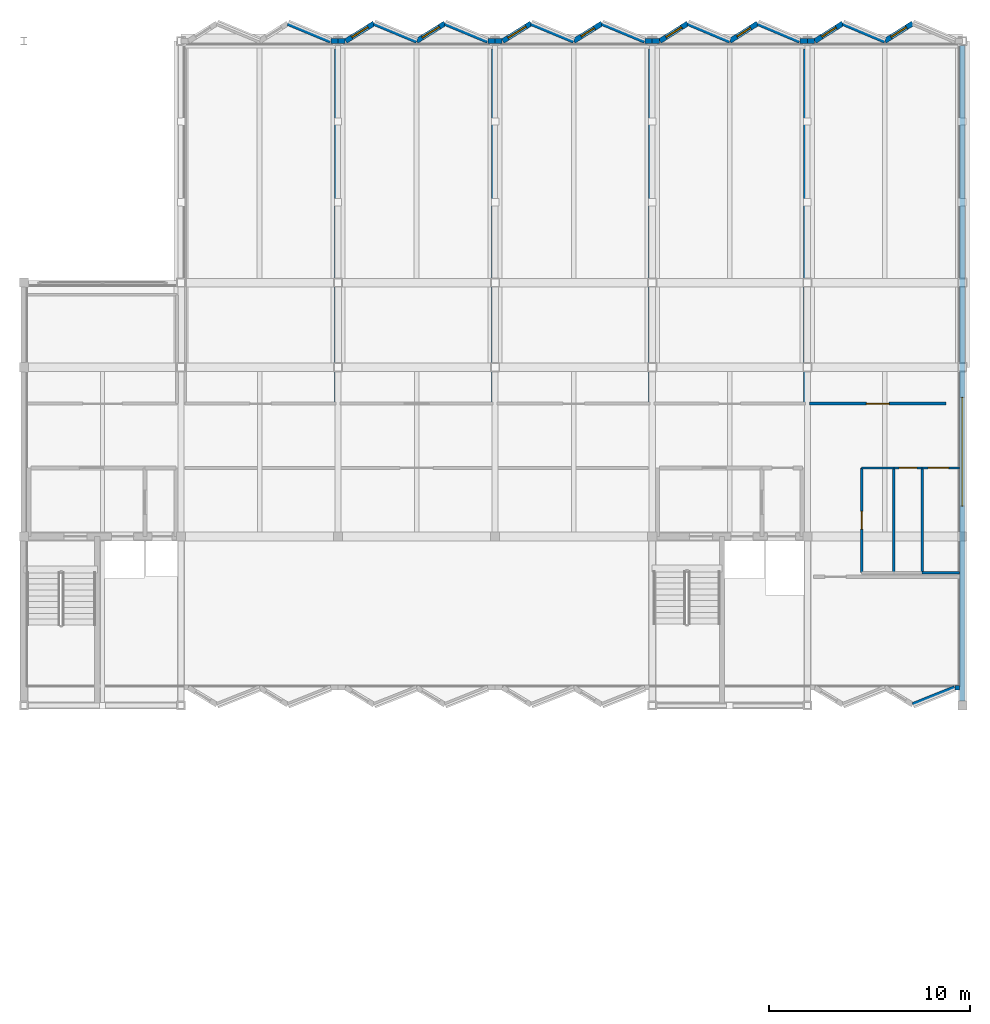
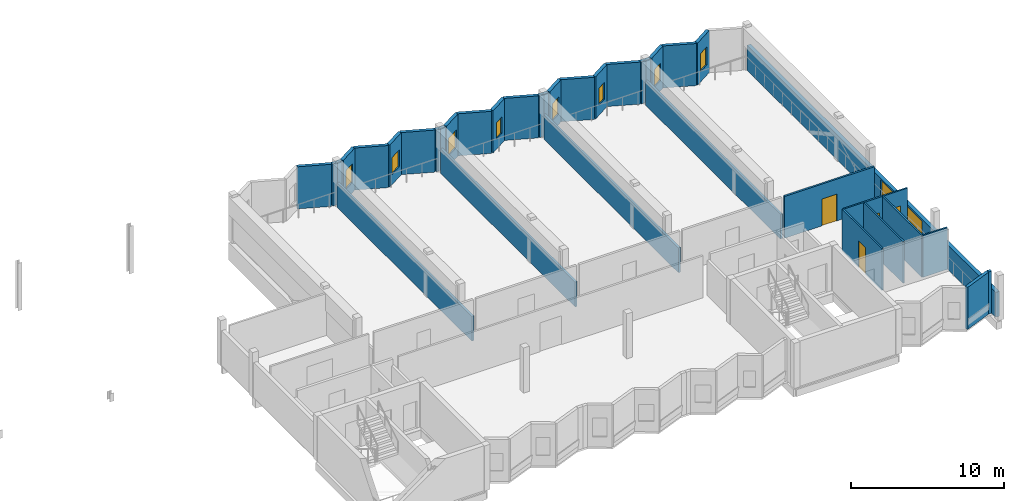
# One storey, part 27 of 34: 39 walls, 9 windows, 4 doors, 13 openings.
"""IFC4 building model written with IfcOpenShell, lengths in metres."""

from ifc_helpers import new_model, si_unit, direction, frame, frame_2d, origin, place, context, subcontext, project, spatial, rectangle, extrude, material, layer, layer_set, type_object, element, fill, save


model = new_model("IFC4")

# Units and contexts
model_context = context("Model", 3, precision=1e-05, world=origin(), true_north=direction((0.0, 1.0)))
body_context = subcontext(model_context, "Body", "Model", "MODEL_VIEW")
ifc_project = project(units=[si_unit("LENGTHUNIT", "METRE"), si_unit("AREAUNIT", "SQUARE_METRE"), si_unit("VOLUMEUNIT", "CUBIC_METRE"), si_unit("PLANEANGLEUNIT", "RADIAN"), si_unit("MASSUNIT", "GRAM", prefix="KILO")], contexts=[model_context])

# Site, building, storey
site_placement = place(None, origin())
site = spatial("IfcSite", under=ifc_project, at=site_placement, CompositionType="ELEMENT")
building_placement = place(site_placement, origin())
building = spatial("IfcBuilding", under=site, at=building_placement, Name="Vharandega Faculty of Natural Sciences", CompositionType="ELEMENT")
storey_placement = place(building_placement, frame((0.0, 0.0, 21.60009765625)))
storey = spatial("IfcBuildingStorey", under=building, at=storey_placement, Name="L05", CompositionType="ELEMENT", Elevation=21.60009765625)

# Walls
ifc_material_1 = material(Name="Gypsum fire-board on steel stud", Category="steel")
ifc_layer_1 = layer(ifc_material_1, 0.159912109375, Name="Gypsum fire-board on steel stud")
ifc_layer_set_1 = layer_set([ifc_layer_1], Name="Gypsum fire-board on steel stud")
wall_type_1 = type_object("IfcWallType", Name="Laboratory Fire Corridor Wall 160", PredefinedType="PARTITIONING", material=ifc_layer_set_1)
for number, where, z_axis, x_axis, name in (
    (1, (130.300048828125, 79.0, 0.0), (0.0, 0.0, 1.0), (0.0, 1.0, 0.0), "Interior Wall PW-L05-R11E"),
    (2, (138.10009765625, 79.0, 0.0), (0.0, 0.0, 1.0), (0.0, 1.0, 0.0), "Interior Wall PW-L05-R12E"),
    (3, (145.89990234375, 79.0, 0.0), (0.0, 0.0, 1.0), (0.0, 1.0, 0.0), "Interior Wall PW-L05-R13E"),
    (4, (153.60009765625, 79.0, 0.0), (0.0, 0.0, 1.0), (0.0, 1.0, 0.0), "Interior Wall PW-L05-R14E"),
):
    element("IfcWall", number, at=place(storey_placement, frame(where, z_axis=z_axis, x_axis=x_axis)), inside=storey, type_object=wall_type_1, Name=name, PredefinedType="PARTITIONING", context=body_context, shape_type="SweptSolid", body=[
        extrude(rectangle(XDim=17.60009765625, YDim=0.159912109375, at=frame_2d((8.800048828125, 0.0))), origin(), (0.0, 0.0, 1.0), 1.97998046875),
    ])

# Wall, opening, door
ifc_material_2 = material(Name="Gypsum acoustic partition", Category="gypsum")
ifc_layer_2 = layer(ifc_material_2, 0.139892578125, Name="Gypsum acoustic partition")
ifc_layer_set_2 = layer_set([ifc_layer_2], Name="Gypsum acoustic partition")
wall_type_2 = type_object("IfcWallType", Name="Room Partition Wall 140", PredefinedType="PARTITIONING", material=ifc_layer_set_2)
wall_1_placement = place(storey_placement, frame((153.800048828125, 79.0, 0.0), z_axis=(0.0, 0.0, 1.0), x_axis=(1.0, 0.0, 0.0)))
wall_1 = element("IfcWall", 5, at=wall_1_placement, inside=storey, type_object=wall_type_2, Name="Interior Wall PW-L05-R15S", PredefinedType="PARTITIONING", context=body_context, shape_type="SweptSolid", body=[
    extrude(rectangle(XDim=6.800048828125, YDim=0.139892578125, at=frame_2d((3.39990234375, 0.0))), origin(), (0.0, 0.0, 1.0), 3.33984375),
])
opening_1_placement = place(wall_1_placement, frame((2.840087890625, 0.0, 0.0)))
opening_1 = element("IfcOpeningElement", 6, at=opening_1_placement, cuts=wall_1, Name="Opening D0321", PredefinedType="OPENING", context=body_context, shape_type="SweptSolid", body=[
    extrude(rectangle(XDim=1.1201171875, YDim=2.14990234375, at=frame_2d((0.56005859375, 1.074951171875))), frame((0.0, 0.080078125, 0.0), z_axis=(0.0, -1.0, 0.0), x_axis=(1.0, 0.0, 0.0)), (0.0, 0.0, 1.0), 0.159912109375),
])
ifc_material_3 = material(Name="Solid-core hardwood timber fire door", Category="wood")
door_type_1 = type_object("IfcDoorType", Name="ID12-STUDIO-1120x2150", OperationType="NOTDEFINED", PredefinedType="DOOR", material=ifc_material_3)
door_1_placement = place(opening_1_placement, origin())
door_1 = element("IfcDoor", 7, at=door_1_placement, inside=storey, type_object=door_type_1, Name="Chemical Write-Up Studio 5A Door D0321", OperationType="SINGLE_SWING_LEFT", OverallHeight=2.14990234375, OverallWidth=1.1201171875, PredefinedType="DOOR", context=body_context, shape_type="SweptSolid", body=[
    extrude(rectangle(XDim=1.1201171875, YDim=2.14990234375, at=frame_2d((0.56005859375, 1.074951171875))), frame((0.0, 0.02490234375, 0.0), z_axis=(0.0, -1.0, 0.0), x_axis=(1.0, 0.0, 0.0)), (0.0, 0.0, 1.0), 0.050048828125),
])
fill(opening_1, door_1)

# Wall
ifc_material_4 = material(Name="Moisture-resistant gypsum partition", Category="gypsum")
ifc_layer_3 = layer(ifc_material_4, 0.1201171875, Name="Moisture-resistant gypsum partition")
ifc_layer_set_3 = layer_set([ifc_layer_3], Name="Moisture-resistant gypsum partition")
wall_type_3 = type_object("IfcWallType", Name="Sanitary Wet Wall 120", PredefinedType="PARTITIONING", material=ifc_layer_set_3)
wall_2_placement = place(storey_placement, frame((156.39990234375, 75.800048828125, 0.0), z_axis=(0.0, 0.0, 1.0), x_axis=(1.0, 0.0, 0.0)))
element("IfcWall", 8, at=wall_2_placement, inside=storey, type_object=wall_type_3, Name="Interior Wall PW-L05-R07N", PredefinedType="PARTITIONING", context=body_context, shape_type="SweptSolid", body=[
    extrude(rectangle(XDim=1.60009765625, YDim=0.1201171875, at=frame_2d((0.800048828125, 0.0))), origin(), (0.0, 0.0, 1.0), 3.33984375),
])

# Wall, opening, door
wall_3_placement = place(storey_placement, frame((156.39990234375, 70.60009765625, 0.0), z_axis=(0.0, 0.0, 1.0), x_axis=(0.0, 1.0, 0.0)))
wall_3 = element("IfcWall", 9, at=wall_3_placement, inside=storey, type_object=wall_type_3, Name="Interior Wall PW-L05-R07W", PredefinedType="PARTITIONING", context=body_context, shape_type="SweptSolid", body=[
    extrude(rectangle(XDim=5.199951171875, YDim=0.1201171875, at=frame_2d((2.60009765625, 0.0))), origin(), (0.0, 0.0, 1.0), 3.33984375),
])
opening_2_placement = place(wall_3_placement, frame((2.159912109375, 0.0, 0.0)))
opening_2 = element("IfcOpeningElement", 10, at=opening_2_placement, cuts=wall_3, Name="Opening D0313", PredefinedType="OPENING", context=body_context, shape_type="SweptSolid", body=[
    extrude(rectangle(XDim=0.8798828125, YDim=2.10009765625, at=frame_2d((0.43994140625, 1.050048828125))), frame((0.0, 0.070068359375, 0.0), z_axis=(0.0, -1.0, 0.0), x_axis=(1.0, 0.0, 0.0)), (0.0, 0.0, 1.0), 0.14013671875),
])
ifc_material_5 = material(Name="Solid-core hardwood timber fire door", Category="wood")
door_type_2 = type_object("IfcDoorType", Name="ID06-WC-0880x2100", OperationType="NOTDEFINED", PredefinedType="DOOR", material=ifc_material_5)
door_2_placement = place(opening_2_placement, origin())
door_2 = element("IfcDoor", 11, at=door_2_placement, inside=storey, type_object=door_type_2, Name="L05 Male Washroom Door D0313", OperationType="SINGLE_SWING_LEFT", OverallHeight=2.10009765625, OverallWidth=0.8798828125, PredefinedType="DOOR", context=body_context, shape_type="SweptSolid", body=[
    extrude(rectangle(XDim=0.8798828125, YDim=2.10009765625, at=frame_2d((0.43994140625, 1.050048828125))), frame((0.0, 0.02490234375, 0.0), z_axis=(0.0, -1.0, 0.0), x_axis=(1.0, 0.0, 0.0)), (0.0, 0.0, 1.0), 0.050048828125),
])
fill(opening_2, door_2)

# Wall
wall_4_placement = place(storey_placement, frame((158.0, 70.60009765625, 0.0), z_axis=(0.0, 0.0, 1.0), x_axis=(0.0, 1.0, 0.0)))
element("IfcWall", 12, at=wall_4_placement, inside=storey, type_object=wall_type_3, Name="Interior Wall PW-L05-R07E", PredefinedType="PARTITIONING", context=body_context, shape_type="SweptSolid", body=[
    extrude(rectangle(XDim=5.199951171875, YDim=0.1201171875, at=frame_2d((2.60009765625, 0.0))), origin(), (0.0, 0.0, 1.0), 3.33984375),
])

# Wall, opening, door
wall_5_placement = place(storey_placement, frame((158.0, 75.800048828125, 0.0), z_axis=(0.0, 0.0, 1.0), x_axis=(1.0, 0.0, 0.0)))
wall_5 = element("IfcWall", 13, at=wall_5_placement, inside=storey, type_object=wall_type_3, Name="Interior Wall PW-L05-R08N", PredefinedType="PARTITIONING", context=body_context, shape_type="SweptSolid", body=[
    extrude(rectangle(XDim=1.39990234375, YDim=0.1201171875, at=frame_2d((0.699951171875, 0.0))), origin(), (0.0, 0.0, 1.0), 3.33984375),
])
opening_3_placement = place(wall_5_placement, frame((0.260009765625, 0.0, 0.0)))
opening_3 = element("IfcOpeningElement", 14, at=opening_3_placement, cuts=wall_5, Name="Opening D0314", PredefinedType="OPENING", context=body_context, shape_type="SweptSolid", body=[
    extrude(rectangle(XDim=0.8798828125, YDim=2.10009765625, at=frame_2d((0.43994140625, 1.050048828125))), frame((0.0, 0.070068359375, 0.0), z_axis=(0.0, -1.0, 0.0), x_axis=(1.0, 0.0, 0.0)), (0.0, 0.0, 1.0), 0.14013671875),
])
door_3_placement = place(opening_3_placement, origin())
door_3 = element("IfcDoor", 15, at=door_3_placement, inside=storey, type_object=door_type_2, Name="L05 Female Washroom Door D0314", OperationType="SINGLE_SWING_RIGHT", OverallHeight=2.10009765625, OverallWidth=0.8798828125, PredefinedType="DOOR", context=body_context, shape_type="SweptSolid", body=[
    extrude(rectangle(XDim=0.8798828125, YDim=2.10009765625, at=frame_2d((0.43994140625, 1.050048828125))), frame((0.0, 0.02490234375, 0.0), z_axis=(0.0, -1.0, 0.0), x_axis=(1.0, 0.0, 0.0)), (0.0, 0.0, 1.0), 0.050048828125),
])
fill(opening_3, door_3)

# Walls
wall_6_placement = place(storey_placement, frame((159.39990234375, 70.60009765625, 0.0), z_axis=(0.0, 0.0, 1.0), x_axis=(0.0, 1.0, 0.0)))
element("IfcWall", 16, at=wall_6_placement, inside=storey, type_object=wall_type_3, Name="Interior Wall PW-L05-R08E", PredefinedType="PARTITIONING", context=body_context, shape_type="SweptSolid", body=[
    extrude(rectangle(XDim=5.199951171875, YDim=0.1201171875, at=frame_2d((2.60009765625, 0.0))), origin(), (0.0, 0.0, 1.0), 3.33984375),
])
wall_7_placement = place(storey_placement, frame((159.39990234375, 70.60009765625, 0.0), z_axis=(0.0, 0.0, 1.0), x_axis=(1.0, 0.0, 0.0)))
element("IfcWall", 17, at=wall_7_placement, inside=storey, type_object=wall_type_3, Name="Interior Wall PW-L05-R09S", PredefinedType="PARTITIONING", context=body_context, shape_type="SweptSolid", body=[
    extrude(rectangle(XDim=1.860107421875, YDim=0.1201171875, at=frame_2d((0.93017578125, 0.0))), origin(), (0.0, 0.0, 1.0), 3.33984375),
])

# Wall, opening, door
wall_8_placement = place(storey_placement, frame((159.39990234375, 75.800048828125, 0.0), z_axis=(0.0, 0.0, 1.0), x_axis=(1.0, 0.0, 0.0)))
wall_8 = element("IfcWall", 18, at=wall_8_placement, inside=storey, type_object=wall_type_3, Name="Interior Wall PW-L05-R09N", PredefinedType="PARTITIONING", context=body_context, shape_type="SweptSolid", body=[
    extrude(rectangle(XDim=1.860107421875, YDim=0.1201171875, at=frame_2d((0.93017578125, 0.0))), origin(), (0.0, 0.0, 1.0), 3.33984375),
])
opening_4_placement = place(wall_8_placement, frame((0.300048828125, 0.0, 0.0)))
opening_4 = element("IfcOpeningElement", 19, at=opening_4_placement, cuts=wall_8, Name="Opening D0315", PredefinedType="OPENING", context=body_context, shape_type="SweptSolid", body=[
    extrude(rectangle(XDim=1.02001953125, YDim=2.10009765625, at=frame_2d((0.510009765625, 1.050048828125))), frame((0.0, 0.070068359375, 0.0), z_axis=(0.0, -1.0, 0.0), x_axis=(1.0, 0.0, 0.0)), (0.0, 0.0, 1.0), 0.14013671875),
])
ifc_material_6 = material(Name="Solid-core hardwood timber fire door", Category="wood")
door_type_3 = type_object("IfcDoorType", Name="ID07-ACCWC-1020x2100", OperationType="NOTDEFINED", PredefinedType="DOOR", material=ifc_material_6)
door_4_placement = place(opening_4_placement, origin())
door_4 = element("IfcDoor", 20, at=door_4_placement, inside=storey, type_object=door_type_3, Name="L05 Accessible WC Door D0315", OperationType="SINGLE_SWING_LEFT", OverallHeight=2.10009765625, OverallWidth=1.02001953125, PredefinedType="DOOR", context=body_context, shape_type="SweptSolid", body=[
    extrude(rectangle(XDim=1.02001953125, YDim=2.10009765625, at=frame_2d((0.510009765625, 1.050048828125))), frame((0.0, 0.02490234375, 0.0), z_axis=(0.0, -1.0, 0.0), x_axis=(1.0, 0.0, 0.0)), (0.0, 0.0, 1.0), 0.050048828125),
])
fill(opening_4, door_4)

# Wall, opening, window
ifc_material_7 = material(Name="Precast concrete C40/50", Category="concrete")
ifc_layer_4 = layer(ifc_material_7, 0.25, Name="Precast concrete C40/50")
ifc_layer_set_4 = layer_set([ifc_layer_4], Name="Precast concrete C40/50")
wall_type_4 = type_object("IfcWallType", Name="Sawtooth Glazed-Face Precast Wall 250", PredefinedType="SOLIDWALL", material=ifc_layer_set_4)
wall_9_placement = place(storey_placement, frame((130.780029296875, 97.0, 0.0), z_axis=(0.0, 0.0, 1.0), x_axis=(0.848023086369, 0.529959286158, 0.0)))
wall_9 = element("IfcWall", 21, at=wall_9_placement, inside=storey, type_object=wall_type_4, Name="Exterior Wall EW-SAW-L05-N03G", PredefinedType="SOLIDWALL", context=body_context, shape_type="SweptSolid", body=[
    extrude(rectangle(XDim=1.660400390625, YDim=0.25, at=frame_2d((0.830078125, 0.0))), origin(), (0.0, 0.0, 1.0), 3.35986328125),
])
opening_5_placement = place(wall_9_placement, frame((0.355224609375, 0.0, 0.820068359375)))
opening_5 = element("IfcOpeningElement", 22, at=opening_5_placement, cuts=wall_9, Name="Opening WN-04", PredefinedType="OPENING", context=body_context, shape_type="SweptSolid", body=[
    extrude(rectangle(XDim=0.949951171875, YDim=1.5, at=frame_2d((0.47509765625, 0.75))), frame((0.0, 0.135009765625, 0.0), z_axis=(0.0, -1.0, 0.0), x_axis=(1.0, 0.0, 0.0)), (0.0, 0.0, 1.0), 0.27001953125),
])
ifc_material_8 = material(Name="Double-glazed solar-control glass in thermally broken aluminium frame", Category="aluminium")
window_type_1 = type_object("IfcWindowType", Name="WIN-SAW-095x150", PartitioningType="SINGLE_PANEL", PredefinedType="WINDOW", material=ifc_material_8)
window_1_placement = place(opening_5_placement, origin())
window_1 = element("IfcWindow", 23, at=window_1_placement, inside=storey, type_object=window_type_1, Name="Window WIN-L05-0011", OverallHeight=1.5, OverallWidth=0.949951171875, PartitioningType="SINGLE_PANEL", PredefinedType="WINDOW", context=body_context, shape_type="SweptSolid", body=[
    extrude(rectangle(XDim=0.949951171875, YDim=1.5, at=frame_2d((0.47509765625, 0.75))), frame((0.0, 0.030029296875, 0.0), z_axis=(0.0, -1.0, 0.0), x_axis=(1.0, 0.0, 0.0)), (0.0, 0.0, 1.0), 0.06005859375),
])
fill(opening_5, window_1)

wall_10_placement = place(storey_placement, frame((134.300048828125, 97.0, 0.0), z_axis=(0.0, 0.0, 1.0), x_axis=(0.848023086369, 0.529959286158, 0.0)))
wall_10 = element("IfcWall", 24, at=wall_10_placement, inside=storey, type_object=wall_type_4, Name="Exterior Wall EW-SAW-L05-N04G", PredefinedType="SOLIDWALL", context=body_context, shape_type="SweptSolid", body=[
    extrude(rectangle(XDim=1.660400390625, YDim=0.25, at=frame_2d((0.830078125, 0.0))), origin(), (0.0, 0.0, 1.0), 3.35986328125),
])
opening_6_placement = place(wall_10_placement, frame((0.330078125, 0.0, 0.820068359375)))
opening_6 = element("IfcOpeningElement", 25, at=opening_6_placement, cuts=wall_10, Name="Opening WN-05", PredefinedType="OPENING", context=body_context, shape_type="SweptSolid", body=[
    extrude(rectangle(XDim=1.0, YDim=1.35009765625, at=frame_2d((0.5, 0.675048828125))), frame((0.0, 0.135009765625, 0.0), z_axis=(0.0, -1.0, 0.0), x_axis=(1.0, 0.0, 0.0)), (0.0, 0.0, 1.0), 0.27001953125),
])
ifc_material_9 = material(Name="Double-glazed solar-control glass in thermally broken aluminium frame", Category="aluminium")
window_type_2 = type_object("IfcWindowType", Name="WIN-SAW-100x135", PartitioningType="SINGLE_PANEL", PredefinedType="WINDOW", material=ifc_material_9)
window_2_placement = place(opening_6_placement, origin())
window_2 = element("IfcWindow", 26, at=window_2_placement, inside=storey, type_object=window_type_2, Name="Window WIN-L05-0012", OverallHeight=1.35009765625, OverallWidth=1.0, PartitioningType="SINGLE_PANEL", PredefinedType="WINDOW", context=body_context, shape_type="SweptSolid", body=[
    extrude(rectangle(XDim=1.0, YDim=1.35009765625, at=frame_2d((0.5, 0.675048828125))), frame((0.0, 0.030029296875, 0.0), z_axis=(0.0, -1.0, 0.0), x_axis=(1.0, 0.0, 0.0)), (0.0, 0.0, 1.0), 0.06005859375),
])
fill(opening_6, window_2)

wall_11_placement = place(storey_placement, frame((138.580078125, 97.0, 0.0), z_axis=(0.0, 0.0, 1.0), x_axis=(0.848023086369, 0.529959286158, 0.0)))
wall_11 = element("IfcWall", 27, at=wall_11_placement, inside=storey, type_object=wall_type_4, Name="Exterior Wall EW-SAW-L05-N05G", PredefinedType="SOLIDWALL", context=body_context, shape_type="SweptSolid", body=[
    extrude(rectangle(XDim=1.660400390625, YDim=0.25, at=frame_2d((0.830078125, 0.0))), origin(), (0.0, 0.0, 1.0), 3.35986328125),
])
opening_7_placement = place(wall_11_placement, frame((0.30517578125, 0.0, 0.820068359375)))
opening_7 = element("IfcOpeningElement", 28, at=opening_7_placement, cuts=wall_11, Name="Opening WN-06", PredefinedType="OPENING", context=body_context, shape_type="SweptSolid", body=[
    extrude(rectangle(XDim=1.050048828125, YDim=1.39990234375, at=frame_2d((0.52490234375, 0.699951171875))), frame((0.0, 0.135009765625, 0.0), z_axis=(0.0, -1.0, 0.0), x_axis=(1.0, 0.0, 0.0)), (0.0, 0.0, 1.0), 0.27001953125),
])
ifc_material_10 = material(Name="Double-glazed solar-control glass in thermally broken aluminium frame", Category="aluminium")
window_type_3 = type_object("IfcWindowType", Name="WIN-SAW-105x140", PartitioningType="SINGLE_PANEL", PredefinedType="WINDOW", material=ifc_material_10)
window_3_placement = place(opening_7_placement, origin())
window_3 = element("IfcWindow", 29, at=window_3_placement, inside=storey, type_object=window_type_3, Name="Window WIN-L05-0013", OverallHeight=1.39990234375, OverallWidth=1.050048828125, PartitioningType="SINGLE_PANEL", PredefinedType="WINDOW", context=body_context, shape_type="SweptSolid", body=[
    extrude(rectangle(XDim=1.050048828125, YDim=1.39990234375, at=frame_2d((0.52490234375, 0.699951171875))), frame((0.0, 0.030029296875, 0.0), z_axis=(0.0, -1.0, 0.0), x_axis=(1.0, 0.0, 0.0)), (0.0, 0.0, 1.0), 0.06005859375),
])
fill(opening_7, window_3)

wall_12_placement = place(storey_placement, frame((142.10009765625, 97.0, 0.0), z_axis=(0.0, 0.0, 1.0), x_axis=(0.848023086369, 0.529959286158, 0.0)))
wall_12 = element("IfcWall", 30, at=wall_12_placement, inside=storey, type_object=wall_type_4, Name="Exterior Wall EW-SAW-L05-N06G", PredefinedType="SOLIDWALL", context=body_context, shape_type="SweptSolid", body=[
    extrude(rectangle(XDim=1.660400390625, YDim=0.25, at=frame_2d((0.830078125, 0.0))), origin(), (0.0, 0.0, 1.0), 3.35986328125),
])
opening_8_placement = place(wall_12_placement, frame((0.440185546875, 0.0, 0.820068359375)))
opening_8 = element("IfcOpeningElement", 31, at=opening_8_placement, cuts=wall_12, Name="Opening WN-06A", PredefinedType="OPENING", context=body_context, shape_type="SweptSolid", body=[
    extrude(rectangle(XDim=0.780029296875, YDim=1.300048828125, at=frame_2d((0.39013671875, 0.64990234375))), frame((0.0, 0.135009765625, 0.0), z_axis=(0.0, -1.0, 0.0), x_axis=(1.0, 0.0, 0.0)), (0.0, 0.0, 1.0), 0.27001953125),
])
ifc_material_11 = material(Name="Double-glazed solar-control glass in thermally broken aluminium frame", Category="aluminium")
window_type_4 = type_object("IfcWindowType", Name="WIN-SAW-078x130", PartitioningType="SINGLE_PANEL", PredefinedType="WINDOW", material=ifc_material_11)
window_4_placement = place(opening_8_placement, origin())
window_4 = element("IfcWindow", 32, at=window_4_placement, inside=storey, type_object=window_type_4, Name="Window WIN-L05-0014", OverallHeight=1.300048828125, OverallWidth=0.780029296875, PartitioningType="SINGLE_PANEL", PredefinedType="WINDOW", context=body_context, shape_type="SweptSolid", body=[
    extrude(rectangle(XDim=0.780029296875, YDim=1.300048828125, at=frame_2d((0.39013671875, 0.64990234375))), frame((0.0, 0.030029296875, 0.0), z_axis=(0.0, -1.0, 0.0), x_axis=(1.0, 0.0, 0.0)), (0.0, 0.0, 1.0), 0.06005859375),
])
fill(opening_8, window_4)

wall_13_placement = place(storey_placement, frame((146.3798828125, 97.0, 0.0), z_axis=(0.0, 0.0, 1.0), x_axis=(0.844626536799, 0.535355968805, 0.0)))
wall_13 = element("IfcWall", 33, at=wall_13_placement, inside=storey, type_object=wall_type_4, Name="Exterior Wall EW-SAW-L05-N07G", PredefinedType="SOLIDWALL", context=body_context, shape_type="SweptSolid", body=[
    extrude(rectangle(XDim=1.6435546875, YDim=0.25, at=frame_2d((0.82177734375, 0.0))), origin(), (0.0, 0.0, 1.0), 3.35986328125),
])
opening_9_placement = place(wall_13_placement, frame((0.36181640625, 0.0, 0.820068359375)))
opening_9 = element("IfcOpeningElement", 34, at=opening_9_placement, cuts=wall_13, Name="Opening WN-06B", PredefinedType="OPENING", context=body_context, shape_type="SweptSolid", body=[
    extrude(rectangle(XDim=0.919921875, YDim=1.3798828125, at=frame_2d((0.4599609375, 0.68994140625))), frame((0.0, 0.135009765625, 0.0), z_axis=(0.0, -1.0, 0.0), x_axis=(1.0, 0.0, 0.0)), (0.0, 0.0, 1.0), 0.27001953125),
])
ifc_material_12 = material(Name="Double-glazed solar-control glass in thermally broken aluminium frame", Category="aluminium")
window_type_5 = type_object("IfcWindowType", Name="WIN-SAW-092x138", PartitioningType="SINGLE_PANEL", PredefinedType="WINDOW", material=ifc_material_12)
window_5_placement = place(opening_9_placement, origin())
window_5 = element("IfcWindow", 35, at=window_5_placement, inside=storey, type_object=window_type_5, Name="Window WIN-L05-0015", OverallHeight=1.3798828125, OverallWidth=0.919921875, PartitioningType="SINGLE_PANEL", PredefinedType="WINDOW", context=body_context, shape_type="SweptSolid", body=[
    extrude(rectangle(XDim=0.919921875, YDim=1.3798828125, at=frame_2d((0.4599609375, 0.68994140625))), frame((0.0, 0.030029296875, 0.0), z_axis=(0.0, -1.0, 0.0), x_axis=(1.0, 0.0, 0.0)), (0.0, 0.0, 1.0), 0.06005859375),
])
fill(opening_9, window_5)

wall_14_placement = place(storey_placement, frame((149.85009765625, 97.0, 0.0), z_axis=(0.0, 0.0, 1.0), x_axis=(0.844583954912, 0.535423143976, 0.0)))
wall_14 = element("IfcWall", 36, at=wall_14_placement, inside=storey, type_object=wall_type_4, Name="Exterior Wall EW-SAW-L05-N08G", PredefinedType="SOLIDWALL", context=body_context, shape_type="SweptSolid", body=[
    extrude(rectangle(XDim=1.643310546875, YDim=0.25, at=frame_2d((0.82177734375, 0.0))), origin(), (0.0, 0.0, 1.0), 3.35986328125),
])
opening_10_placement = place(wall_14_placement, frame((0.421630859375, 0.0, 0.820068359375)))
opening_10 = element("IfcOpeningElement", 37, at=opening_10_placement, cuts=wall_14, Name="Opening WN-01", PredefinedType="OPENING", context=body_context, shape_type="SweptSolid", body=[
    extrude(rectangle(XDim=0.800048828125, YDim=1.35009765625, at=frame_2d((0.39990234375, 0.675048828125))), frame((0.0, 0.135009765625, 0.0), z_axis=(0.0, -1.0, 0.0), x_axis=(1.0, 0.0, 0.0)), (0.0, 0.0, 1.0), 0.27001953125),
])
ifc_material_13 = material(Name="Double-glazed solar-control glass in thermally broken aluminium frame", Category="aluminium")
window_type_6 = type_object("IfcWindowType", Name="WIN-SAW-080x135", PartitioningType="SINGLE_PANEL", PredefinedType="WINDOW", material=ifc_material_13)
window_6_placement = place(opening_10_placement, origin())
window_6 = element("IfcWindow", 38, at=window_6_placement, inside=storey, type_object=window_type_6, Name="Window WIN-L05-0016", OverallHeight=1.35009765625, OverallWidth=0.800048828125, PartitioningType="SINGLE_PANEL", PredefinedType="WINDOW", context=body_context, shape_type="SweptSolid", body=[
    extrude(rectangle(XDim=0.800048828125, YDim=1.35009765625, at=frame_2d((0.39990234375, 0.675048828125))), frame((0.0, 0.030029296875, 0.0), z_axis=(0.0, -1.0, 0.0), x_axis=(1.0, 0.0, 0.0)), (0.0, 0.0, 1.0), 0.06005859375),
])
fill(opening_10, window_6)

wall_15_placement = place(storey_placement, frame((154.080078125, 97.0, 0.0), z_axis=(0.0, 0.0, 1.0), x_axis=(0.844583954912, 0.535423143976, 0.0)))
wall_15 = element("IfcWall", 39, at=wall_15_placement, inside=storey, type_object=wall_type_4, Name="Exterior Wall EW-SAW-L05-N09G", PredefinedType="SOLIDWALL", context=body_context, shape_type="SweptSolid", body=[
    extrude(rectangle(XDim=1.643310546875, YDim=0.25, at=frame_2d((0.82177734375, 0.0))), origin(), (0.0, 0.0, 1.0), 3.35986328125),
])
opening_11_placement = place(wall_15_placement, frame((0.396728515625, 0.0, 0.820068359375)))
opening_11 = element("IfcOpeningElement", 40, at=opening_11_placement, cuts=wall_15, Name="Opening WN-02", PredefinedType="OPENING", context=body_context, shape_type="SweptSolid", body=[
    extrude(rectangle(XDim=0.85009765625, YDim=1.39990234375, at=frame_2d((0.425048828125, 0.699951171875))), frame((0.0, 0.135009765625, 0.0), z_axis=(0.0, -1.0, 0.0), x_axis=(1.0, 0.0, 0.0)), (0.0, 0.0, 1.0), 0.27001953125),
])
ifc_material_14 = material(Name="Double-glazed solar-control glass in thermally broken aluminium frame", Category="aluminium")
window_type_7 = type_object("IfcWindowType", Name="WIN-SAW-085x140", PartitioningType="SINGLE_PANEL", PredefinedType="WINDOW", material=ifc_material_14)
window_7_placement = place(opening_11_placement, origin())
window_7 = element("IfcWindow", 41, at=window_7_placement, inside=storey, type_object=window_type_7, Name="Window WIN-L05-0017", OverallHeight=1.39990234375, OverallWidth=0.85009765625, PartitioningType="SINGLE_PANEL", PredefinedType="WINDOW", context=body_context, shape_type="SweptSolid", body=[
    extrude(rectangle(XDim=0.85009765625, YDim=1.39990234375, at=frame_2d((0.425048828125, 0.699951171875))), frame((0.0, 0.030029296875, 0.0), z_axis=(0.0, -1.0, 0.0), x_axis=(1.0, 0.0, 0.0)), (0.0, 0.0, 1.0), 0.06005859375),
])
fill(opening_11, window_7)

wall_16_placement = place(storey_placement, frame((157.550048828125, 97.0, 0.0), z_axis=(0.0, 0.0, 1.0), x_axis=(0.844583954912, 0.535423143976, 0.0)))
wall_16 = element("IfcWall", 42, at=wall_16_placement, inside=storey, type_object=wall_type_4, Name="Exterior Wall EW-SAW-L05-N10G", PredefinedType="SOLIDWALL", context=body_context, shape_type="SweptSolid", body=[
    extrude(rectangle(XDim=1.643310546875, YDim=0.25, at=frame_2d((0.82177734375, 0.0))), origin(), (0.0, 0.0, 1.0), 3.35986328125),
])
opening_12_placement = place(wall_16_placement, frame((0.37158203125, 0.0, 0.820068359375)))
opening_12 = element("IfcOpeningElement", 43, at=opening_12_placement, cuts=wall_16, Name="Opening WN-03", PredefinedType="OPENING", context=body_context, shape_type="SweptSolid", body=[
    extrude(rectangle(XDim=0.89990234375, YDim=1.449951171875, at=frame_2d((0.449951171875, 0.72509765625))), frame((0.0, 0.135009765625, 0.0), z_axis=(0.0, -1.0, 0.0), x_axis=(1.0, 0.0, 0.0)), (0.0, 0.0, 1.0), 0.27001953125),
])
ifc_material_15 = material(Name="Double-glazed solar-control glass in thermally broken aluminium frame", Category="aluminium")
window_type_8 = type_object("IfcWindowType", Name="WIN-SAW-090x145", PartitioningType="SINGLE_PANEL", PredefinedType="WINDOW", material=ifc_material_15)
window_8_placement = place(opening_12_placement, origin())
window_8 = element("IfcWindow", 44, at=window_8_placement, inside=storey, type_object=window_type_8, Name="Window WIN-L05-0018", OverallHeight=1.449951171875, OverallWidth=0.89990234375, PartitioningType="SINGLE_PANEL", PredefinedType="WINDOW", context=body_context, shape_type="SweptSolid", body=[
    extrude(rectangle(XDim=0.89990234375, YDim=1.449951171875, at=frame_2d((0.449951171875, 0.72509765625))), frame((0.0, 0.030029296875, 0.0), z_axis=(0.0, -1.0, 0.0), x_axis=(1.0, 0.0, 0.0)), (0.0, 0.0, 1.0), 0.06005859375),
])
fill(opening_12, window_8)

# Walls
ifc_material_16 = material(Name="Precast concrete C40/50", Category="concrete")
ifc_layer_5 = layer(ifc_material_16, 0.22998046875, Name="Precast concrete C40/50")
ifc_layer_set_5 = layer_set([ifc_layer_5], Name="Precast concrete C40/50")
wall_type_5 = type_object("IfcWallType", Name="Sawtooth Solid White Precast Wall 230", PredefinedType="SOLIDWALL", material=ifc_layer_set_5)
wall_17_placement = place(storey_placement, frame((130.050048828125, 97.0, 0.0), z_axis=(0.0, 0.0, 1.0), x_axis=(1.0, 0.0, 0.0)))
element("IfcWall", 45, at=wall_17_placement, inside=storey, type_object=wall_type_5, Name="Exterior Wall EW-SHL-L05-N17R", PredefinedType="SOLIDWALL", context=body_context, shape_type="SweptSolid", body=[
    extrude(rectangle(XDim=0.349853515625, YDim=0.22998046875, at=frame_2d((0.1748046875, 0.0))), origin(), (0.0, 0.0, 1.0), 3.35986328125),
])
wall_18_placement = place(storey_placement, frame((130.39990234375, 97.0, 0.0), z_axis=(0.0, 0.0, 1.0), x_axis=(1.0, 0.0, 0.0)))
element("IfcWall", 46, at=wall_18_placement, inside=storey, type_object=wall_type_5, Name="Exterior Wall EW-SHL-L05-N17L", PredefinedType="SOLIDWALL", context=body_context, shape_type="SweptSolid", body=[
    extrude(rectangle(XDim=0.35009765625, YDim=0.22998046875, at=frame_2d((0.175048828125, 0.0))), origin(), (0.0, 0.0, 1.0), 3.35986328125),
])
wall_19_placement = place(storey_placement, frame((137.85009765625, 97.0, 0.0), z_axis=(0.0, 0.0, 1.0), x_axis=(1.0, 0.0, 0.0)))
element("IfcWall", 47, at=wall_19_placement, inside=storey, type_object=wall_type_5, Name="Exterior Wall EW-SHL-L05-N18R", PredefinedType="SOLIDWALL", context=body_context, shape_type="SweptSolid", body=[
    extrude(rectangle(XDim=0.349853515625, YDim=0.22998046875, at=frame_2d((0.1748046875, 0.0))), origin(), (0.0, 0.0, 1.0), 3.35986328125),
])
for number, where, z_axis, x_axis, name in (
    (48, (138.199951171875, 97.0, 0.0), (0.0, 0.0, 1.0), (1.0, 0.0, 0.0), "Exterior Wall EW-SHL-L05-N18L"),
    (49, (145.64990234375, 97.0, 0.0), (0.0, 0.0, 1.0), (1.0, 0.0, 0.0), "Exterior Wall EW-SHL-L05-N19R"),
    (50, (146.0, 97.0, 0.0), (0.0, 0.0, 1.0), (1.0, 0.0, 0.0), "Exterior Wall EW-SHL-L05-N19L"),
):
    element("IfcWall", number, at=place(storey_placement, frame(where, z_axis=z_axis, x_axis=x_axis)), inside=storey, type_object=wall_type_5, Name=name, PredefinedType="SOLIDWALL", context=body_context, shape_type="SweptSolid", body=[
        extrude(rectangle(XDim=0.35009765625, YDim=0.22998046875, at=frame_2d((0.175048828125, 0.0))), origin(), (0.0, 0.0, 1.0), 3.35986328125),
    ])
wall_20_placement = place(storey_placement, frame((153.35009765625, 97.0, 0.0), z_axis=(0.0, 0.0, 1.0), x_axis=(1.0, 0.0, 0.0)))
element("IfcWall", 51, at=wall_20_placement, inside=storey, type_object=wall_type_5, Name="Exterior Wall EW-SHL-L05-N20R", PredefinedType="SOLIDWALL", context=body_context, shape_type="SweptSolid", body=[
    extrude(rectangle(XDim=0.349853515625, YDim=0.22998046875, at=frame_2d((0.1748046875, 0.0))), origin(), (0.0, 0.0, 1.0), 3.35986328125),
])
wall_21_placement = place(storey_placement, frame((153.699951171875, 97.0, 0.0), z_axis=(0.0, 0.0, 1.0), x_axis=(1.0, 0.0, 0.0)))
element("IfcWall", 52, at=wall_21_placement, inside=storey, type_object=wall_type_5, Name="Exterior Wall EW-SHL-L05-N20L", PredefinedType="SOLIDWALL", context=body_context, shape_type="SweptSolid", body=[
    extrude(rectangle(XDim=0.35009765625, YDim=0.22998046875, at=frame_2d((0.175048828125, 0.0))), origin(), (0.0, 0.0, 1.0), 3.35986328125),
])
wall_22_placement = place(storey_placement, frame((161.264892578125, 64.8798828125, 0.0), z_axis=(0.0, 0.0, 1.0), x_axis=(-1.0, 0.0, 0.0)))
element("IfcWall", 53, at=wall_22_placement, inside=storey, type_object=wall_type_5, Name="Exterior Wall EW-SHL-L05-S2021FR", PredefinedType="SOLIDWALL", context=body_context, shape_type="SweptSolid", body=[
    extrude(rectangle(XDim=0.224853515625, YDim=0.22998046875, at=frame_2d((0.1123046875, 0.0))), origin(), (0.0, 0.0, 1.0), 3.35986328125),
])
for number, where, z_axis, x_axis, name in (
    (54, (127.907958984375, 97.8798828125, 0.0), (0.0, 0.0, 1.0), (0.92309902008, -0.384562347517, 0.0), "Exterior Wall EW-SAW-L05-N02S"),
    (55, (132.18798828125, 97.8798828125, 0.0), (0.0, 0.0, 1.0), (0.92309902008, -0.384562347517, 0.0), "Exterior Wall EW-SAW-L05-N03S"),
    (56, (135.7080078125, 97.8798828125, 0.0), (0.0, 0.0, 1.0), (0.92309902008, -0.384562347517, 0.0), "Exterior Wall EW-SAW-L05-N04S"),
    (57, (139.988037109375, 97.8798828125, 0.0), (0.0, 0.0, 1.0), (0.92309902008, -0.384562347517, 0.0), "Exterior Wall EW-SAW-L05-N05S"),
    (58, (143.508056640625, 97.8798828125, 0.0), (0.0, 0.0, 1.0), (0.92309902008, -0.384562347517, 0.0), "Exterior Wall EW-SAW-L05-N06S"),
):
    element("IfcWall", number, at=place(storey_placement, frame(where, z_axis=z_axis, x_axis=x_axis)), inside=storey, type_object=wall_type_5, Name=name, PredefinedType="SOLIDWALL", context=body_context, shape_type="SweptSolid", body=[
        extrude(rectangle(XDim=2.2880859375, YDim=0.22998046875, at=frame_2d((1.14404296875, 0.0))), origin(), (0.0, 0.0, 1.0), 3.35986328125),
    ])
for number, where, z_axis, x_axis, name in (
    (59, (147.76806640625, 97.8798828125, 0.0), (0.0, 0.0, 1.0), (0.921122216024, -0.389273506866, 0.0), "Exterior Wall EW-SAW-L05-N07S"),
    (60, (151.238037109375, 97.8798828125, 0.0), (0.0, 0.0, 1.0), (0.921122216024, -0.389273506866, 0.0), "Exterior Wall EW-SAW-L05-N08S"),
    (61, (155.468017578125, 97.8798828125, 0.0), (0.0, 0.0, 1.0), (0.921122216024, -0.389273506866, 0.0), "Exterior Wall EW-SAW-L05-N09S"),
):
    element("IfcWall", number, at=place(storey_placement, frame(where, z_axis=z_axis, x_axis=x_axis)), inside=storey, type_object=wall_type_5, Name=name, PredefinedType="SOLIDWALL", context=body_context, shape_type="SweptSolid", body=[
        extrude(rectangle(XDim=2.26025390625, YDim=0.22998046875, at=frame_2d((1.130126953125, 0.0))), origin(), (0.0, 0.0, 1.0), 3.35986328125),
    ])
wall_23_placement = place(storey_placement, frame((161.02001953125, 64.8798828125, 0.0), z_axis=(0.0, 0.0, 1.0), x_axis=(-0.927392797001, -0.374089026933, 0.0)))
element("IfcWall", 62, at=wall_23_placement, inside=storey, type_object=wall_type_5, Name="Exterior Wall EW-SAW-L05-S08S", PredefinedType="SOLIDWALL", context=body_context, shape_type="SweptSolid", body=[
    extrude(rectangle(XDim=2.2451171875, YDim=0.22998046875, at=frame_2d((1.12255859375, 0.0))), origin(), (0.0, 0.0, 1.0), 3.35986328125),
])

# Wall, opening, window
ifc_material_17 = material(Name="Precast concrete C40/50", Category="concrete")
ifc_layer_6 = layer(ifc_material_17, 0.280029296875, Name="Precast concrete C40/50")
ifc_layer_set_6 = layer_set([ifc_layer_6], Name="Precast concrete C40/50")
wall_type_6 = type_object("IfcWallType", Name="White Precast End Wall 280", PredefinedType="SOLIDWALL", material=ifc_layer_set_6)
wall_24_placement = place(storey_placement, frame((161.39990234375, 96.777099609375, 0.0), z_axis=(0.0, 0.0, 1.0), x_axis=(0.0, -1.0, 0.0)))
wall_24 = element("IfcWall", 63, at=wall_24_placement, inside=storey, type_object=wall_type_6, Name="Exterior Wall EW-L05-V4E", PredefinedType="SOLIDWALL", context=body_context, shape_type="SweptSolid", body=[
    extrude(rectangle(XDim=32.55419921875, YDim=0.280029296875, at=frame_2d((16.277099609375, 0.0))), origin(), (0.0, 0.0, 1.0), 1.97998046875),
])
opening_13_placement = place(wall_24_placement, frame((17.47705078125, 0.0, 0.639892578125)))
opening_13 = element("IfcOpeningElement", 64, at=opening_13_placement, cuts=wall_24, Name="Opening WN-10", PredefinedType="OPENING", context=body_context, shape_type="SweptSolid", body=[
    extrude(rectangle(XDim=5.39990234375, YDim=1.199951171875, at=frame_2d((2.699951171875, 0.60009765625))), frame((0.0, 0.14990234375, 0.0), z_axis=(0.0, -1.0, 0.0), x_axis=(1.0, 0.0, 0.0)), (0.0, 0.0, 1.0), 0.300048828125),
])
ifc_material_18 = material(Name="Double-glazed solar-control glass in thermally broken aluminium frame", Category="aluminium")
window_type_9 = type_object("IfcWindowType", Name="WIN-MON-540x120", PartitioningType="DOUBLE_PANEL_VERTICAL", PredefinedType="WINDOW", material=ifc_material_18)
window_9_placement = place(opening_13_placement, origin())
window_9 = element("IfcWindow", 65, at=window_9_placement, inside=storey, type_object=window_type_9, Name="Window WIN-L05-0008", OverallHeight=1.199951171875, OverallWidth=5.39990234375, PartitioningType="SINGLE_PANEL", PredefinedType="WINDOW", context=body_context, shape_type="SweptSolid", body=[
    extrude(rectangle(XDim=5.39990234375, YDim=1.199951171875, at=frame_2d((2.699951171875, 0.60009765625))), frame((0.0, 0.030029296875, 0.0), z_axis=(0.0, -1.0, 0.0), x_axis=(1.0, 0.0, 0.0)), (0.0, 0.0, 1.0), 0.06005859375),
])
fill(opening_13, window_9)

save(model, "model.ifc")
